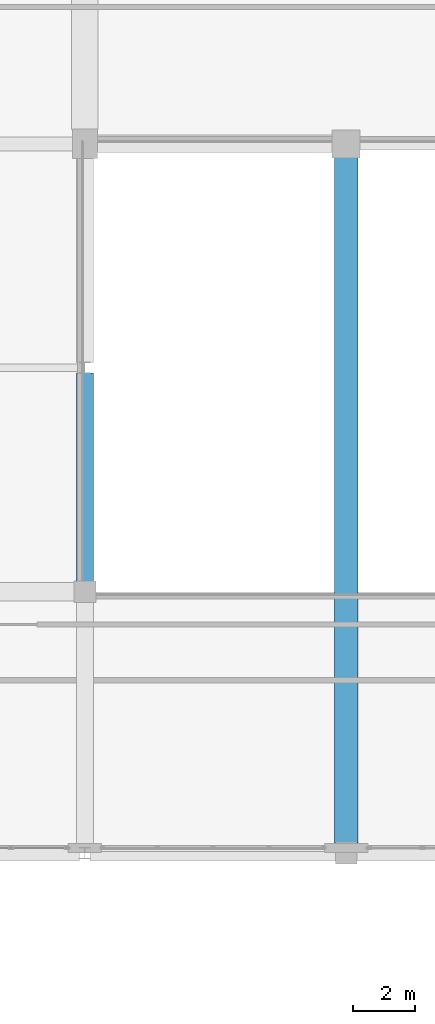
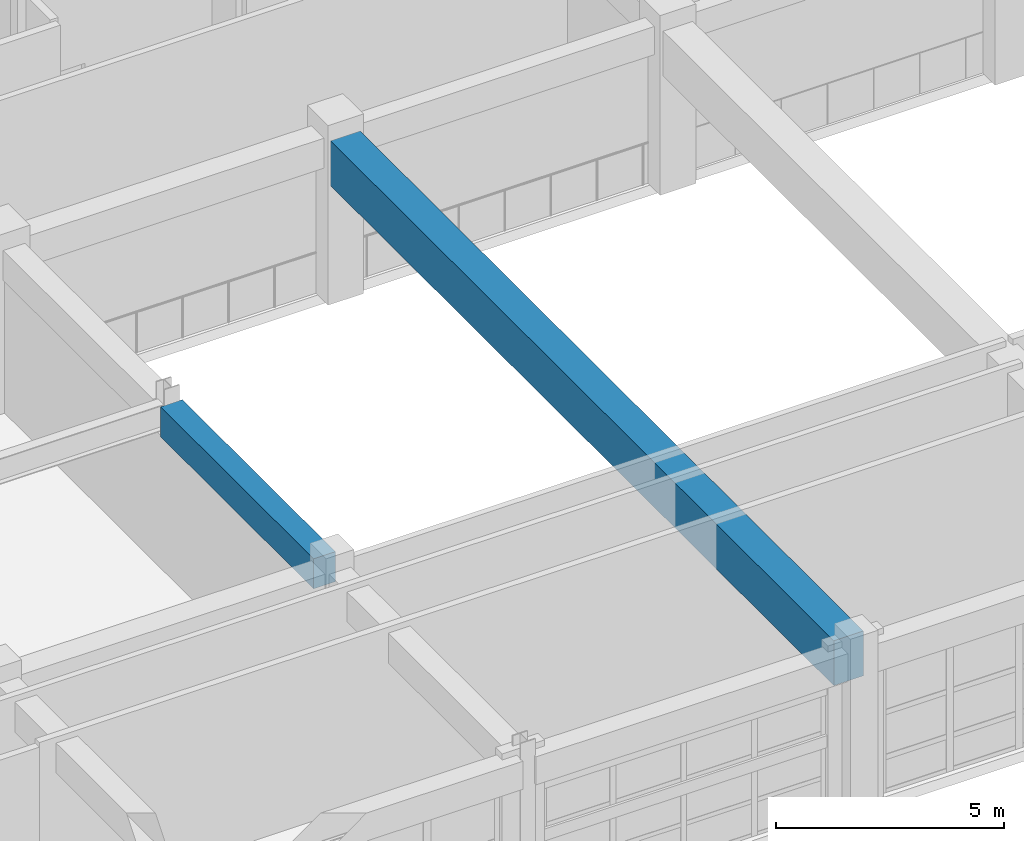
# One storey, part 37 of 123: 2 beams.
"""IFC4 building model written with IfcOpenShell, lengths in metres."""

from ifc_helpers import new_model, si_unit, direction, frame, origin, origin_2d, place, context, subcontext, project, spatial, rectangle, extrude, material, material_profile, profile_set, type_object, element, save


model = new_model("IFC4")

# Units and contexts
model_context = context("Model", 3, precision=1e-05, world=origin(), true_north=direction((0.0, 1.0)))
body_context = subcontext(model_context, "Body", "Model", "MODEL_VIEW")
ifc_project = project(units=[si_unit("LENGTHUNIT", "METRE"), si_unit("AREAUNIT", "SQUARE_METRE"), si_unit("VOLUMEUNIT", "CUBIC_METRE"), si_unit("PLANEANGLEUNIT", "RADIAN"), si_unit("MASSUNIT", "GRAM", prefix="KILO")], contexts=[model_context])

# Site, building, storey
site_placement = place(None, origin())
site = spatial("IfcSite", under=ifc_project, at=site_placement, CompositionType="ELEMENT")
building_placement = place(site_placement, origin())
building = spatial("IfcBuilding", under=site, at=building_placement, Name="Quendrovan Civic Courthouse", CompositionType="ELEMENT")
storey_placement = place(building_placement, frame((0.0, 0.0, 5.39990234375)))
storey = spatial("IfcBuildingStorey", under=building, at=storey_placement, Name="L02", CompositionType="ELEMENT", Elevation=5.39990234375)

# Beams
ifc_material_1 = material(Name="Post-tensioned concrete C50/60", Category="concrete")
ifc_material_profile_1 = material_profile(ifc_material_1, rectangle(XDim=0.75, YDim=1.199951171875, at=origin_2d()), Name="PT-GIRD-750x1200")
ifc_profile_set_1 = profile_set([ifc_material_profile_1], Name="Post-tensioned concrete C50/60")
beam_type_1 = type_object("IfcBeamType", Name="BM-PT1200", PredefinedType="BEAM", material=ifc_profile_set_1)
beam_1_placement = place(storey_placement, frame((58.800048828125, 65.1298828125, 3.760009765625), z_axis=(0.0, 1.0, 0.0), x_axis=(-1.0, 0.0, 0.0)))
element("IfcBeam", 1, at=beam_1_placement, inside=storey, type_object=beam_type_1, Name="L02 Girder Y0657", PredefinedType="BEAM", context=body_context, shape_type="SweptSolid", body=[
    extrude(rectangle(XDim=0.75, YDim=1.199951171875, at=origin_2d()), origin(), (0.0, 0.0, 1.0), 22.0400390625),
])
ifc_material_2 = material(Name="Concrete C40/50", Category="concrete")
ifc_material_profile_2 = material_profile(ifc_material_2, rectangle(XDim=0.550048828125, YDim=0.800048828125, at=origin_2d()), Name="RC-BM-550x800")
ifc_profile_set_2 = profile_set([ifc_material_profile_2], Name="Concrete C40/50")
beam_type_2 = type_object("IfcBeamType", Name="BM-RC800", PredefinedType="BEAM", material=ifc_profile_set_2)
beam_2_placement = place(storey_placement, frame((50.39990234375, 73.530029296875, 3.960205078125), z_axis=(0.0, 1.0, 0.0), x_axis=(-1.0, 0.0, 0.0)))
element("IfcBeam", 2, at=beam_2_placement, inside=storey, type_object=beam_type_2, Name="L02 Girder Y0651", PredefinedType="BEAM", context=body_context, shape_type="SweptSolid", body=[
    extrude(rectangle(XDim=0.550048828125, YDim=0.800048828125, at=origin_2d()), origin(), (0.0, 0.0, 1.0), 6.703857421875),
])

save(model, "model.ifc")
